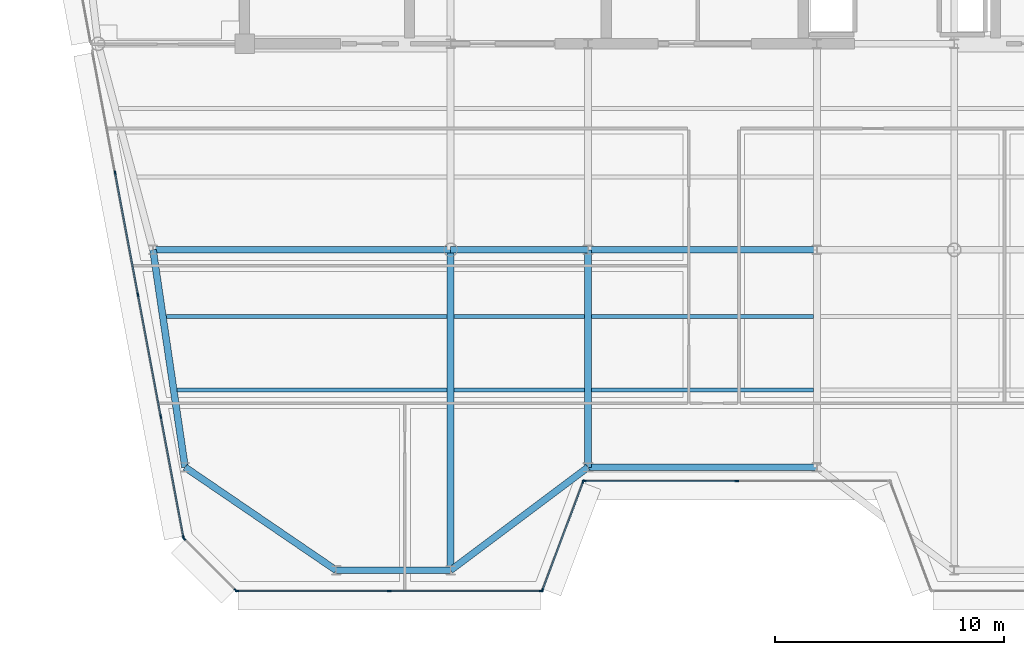
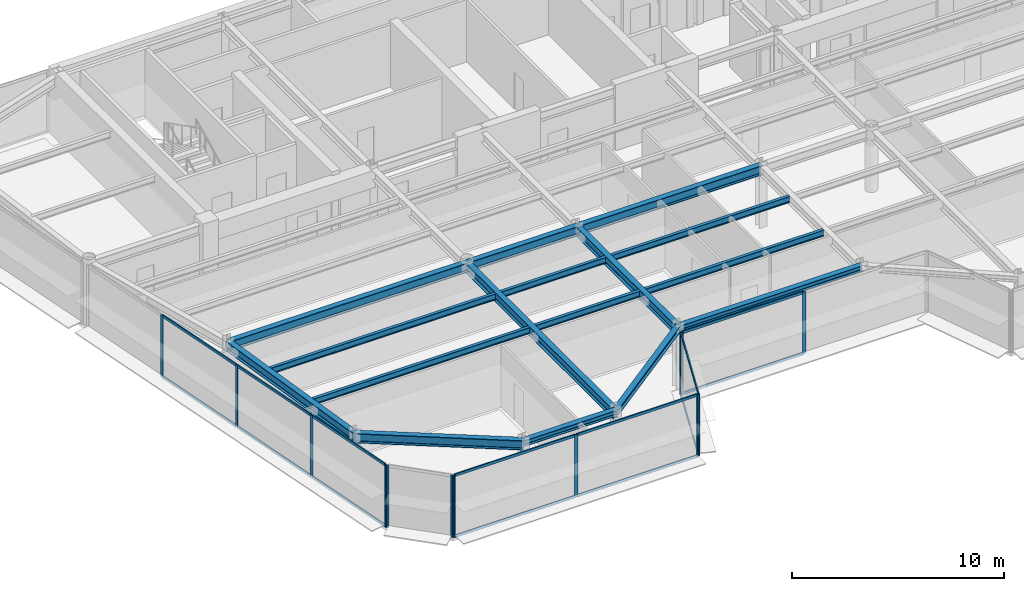
# One storey, part 3 of 19: 27 members, 16 beams, 5 elements without a shape of their own.
"""IFC4 building model written with IfcOpenShell, lengths in metres."""

from ifc_helpers import new_model, si_unit, direction, frame, origin, origin_2d, place, context, subcontext, project, spatial, rectangle, i_section, extrude, source, transform, mapped, material, layer, layer_set, material_profile, profile_set, type_object, element, aggregate, save


model = new_model("IFC4")

# Units and contexts
model_context = context("Model", 3, precision=1e-05, world=origin(), true_north=direction((0.0, 1.0)))
body_context = subcontext(model_context, "Body", "Model", "MODEL_VIEW")
ifc_project = project(units=[si_unit("LENGTHUNIT", "METRE"), si_unit("AREAUNIT", "SQUARE_METRE"), si_unit("VOLUMEUNIT", "CUBIC_METRE"), si_unit("PLANEANGLEUNIT", "RADIAN"), si_unit("MASSUNIT", "GRAM", prefix="KILO")], contexts=[model_context])

# Site, building, storey
site_placement = place(None, origin())
site = spatial("IfcSite", under=ifc_project, at=site_placement, CompositionType="ELEMENT")
building_placement = place(site_placement, origin())
building = spatial("IfcBuilding", under=site, at=building_placement, Name="Vaeldorn Concourse Tower", CompositionType="ELEMENT")
storey_placement = place(building_placement, frame((0.0, 0.0, 272.60009765625)))
storey = spatial("IfcBuildingStorey", under=building, at=storey_placement, Name="L70", CompositionType="ELEMENT", Elevation=272.60009765625)

# Beams
ifc_material_1 = material(Name="Steel S355", Category="steel")
ifc_material_profile_1 = material_profile(ifc_material_1, i_section(OverallWidth=0.300048828125, OverallDepth=0.550048828125, WebThickness=0.014892578125, FlangeThickness=0.029052734375, FilletRadius=0.027099609375, at=origin_2d()), Name="HEB 550")
ifc_profile_set_1 = profile_set([ifc_material_profile_1], Name="Steel S355")
beam_type_1 = type_object("IfcBeamType", Name="BM-PG-HEB550", PredefinedType="BEAM", material=ifc_profile_set_1)
shared_shape_1 = source(origin(), body_context, "Body", "SweptSolid", [
    extrude(i_section(OverallWidth=0.300048828125, OverallDepth=0.550048828125, WebThickness=0.014892578125, FlangeThickness=0.029052734375, FilletRadius=0.027099609375, at=origin_2d()), origin(), (0.0, 0.0, 1.0), 6.0),
])
beam_1_placement = place(storey_placement, frame((23.0, 27.5, 3.304931640625), z_axis=(1.0, 0.0, 0.0), x_axis=(0.0, 1.0, 0.0)))
element("IfcBeam", 1, at=beam_1_placement, inside=storey, type_object=beam_type_1, Name="Beam BM-L70-C-TW1-C-TW2", PredefinedType="BEAM", context=body_context, shape_type="MappedRepresentation", body=[
    mapped(shared_shape_1, transform((0.0, 0.0, 0.0), scale=1.0)),
])
shared_shape_2 = source(origin(), body_context, "Body", "SweptSolid", [
    extrude(i_section(OverallWidth=0.300048828125, OverallDepth=0.550048828125, WebThickness=0.014892578125, FlangeThickness=0.029052734375, FilletRadius=0.027099609375, at=origin_2d()), origin(), (0.0, 0.0, 1.0), 10.0),
])
beam_2_placement = place(storey_placement, frame((29.0, 27.5, 3.304931640625), z_axis=(1.0, 0.0, 0.0), x_axis=(0.0, 1.0, 0.0)))
element("IfcBeam", 2, at=beam_2_placement, inside=storey, type_object=beam_type_1, Name="Beam BM-L70-C-TW2-C-TW3", PredefinedType="BEAM", context=body_context, shape_type="MappedRepresentation", body=[
    mapped(shared_shape_2, transform((0.0, 0.0, 0.0), scale=1.0)),
])
shared_shape_3 = source(origin(), body_context, "Body", "SweptSolid", [
    extrude(i_section(OverallWidth=0.300048828125, OverallDepth=0.550048828125, WebThickness=0.014892578125, FlangeThickness=0.029052734375, FilletRadius=0.027099609375, at=origin_2d()), origin(), (0.0, 0.0, 1.0), 14.0),
])
beam_3_placement = place(storey_placement, frame((23.0, 13.5, 3.304931640625), z_axis=(0.0, 1.0, 0.0), x_axis=(-1.0, 0.0, 0.0)))
element("IfcBeam", 3, at=beam_3_placement, inside=storey, type_object=beam_type_1, Name="Beam BM-L70-C-SF2-C-TW1", PredefinedType="BEAM", context=body_context, shape_type="MappedRepresentation", body=[
    mapped(shared_shape_3, transform((0.0, 0.0, 0.0), scale=1.0)),
])
shared_shape_4 = source(origin(), body_context, "Body", "SweptSolid", [
    extrude(i_section(OverallWidth=0.300048828125, OverallDepth=0.550048828125, WebThickness=0.014892578125, FlangeThickness=0.029052734375, FilletRadius=0.027099609375, at=origin_2d()), origin(), (0.0, 0.0, 1.0), 13.0),
])
beam_4_placement = place(storey_placement, frame((10.0, 27.5, 3.304931640625), z_axis=(1.0, 0.0, 0.0), x_axis=(0.0, 1.0, 0.0)))
element("IfcBeam", 4, at=beam_4_placement, inside=storey, type_object=beam_type_1, Name="Beam BM-L70-C-FLW1-C-TW1", PredefinedType="BEAM", context=body_context, shape_type="MappedRepresentation", body=[
    mapped(shared_shape_4, transform((0.0, 0.0, 0.0), scale=1.0)),
])
shared_shape_5 = source(origin(), body_context, "Body", "SweptSolid", [
    extrude(i_section(OverallWidth=0.300048828125, OverallDepth=0.550048828125, WebThickness=0.014892578125, FlangeThickness=0.029052734375, FilletRadius=0.027099609375, at=origin_2d()), origin(), (0.0, 0.0, 1.0), 9.6025390625),
])
beam_5_placement = place(storey_placement, frame((10.0, 27.5, 3.304931640625), z_axis=(0.145783835977, -0.989316467652, 0.0), x_axis=(0.989316467652, 0.145783835977, 0.0)))
element("IfcBeam", 5, at=beam_5_placement, inside=storey, type_object=beam_type_1, Name="Beam BM-L70-C-FLW1-C-FLW2", PredefinedType="BEAM", context=body_context, shape_type="MappedRepresentation", body=[
    mapped(shared_shape_5, transform((0.0, 0.0, 0.0), scale=1.0)),
])
shared_shape_6 = source(origin(), body_context, "Body", "SweptSolid", [
    extrude(i_section(OverallWidth=0.300048828125, OverallDepth=0.550048828125, WebThickness=0.014892578125, FlangeThickness=0.029052734375, FilletRadius=0.027099609375, at=origin_2d()), origin(), (0.0, 0.0, 1.0), 9.5),
])
beam_6_placement = place(storey_placement, frame((29.0, 18.0, 3.304931640625), z_axis=(0.0, 1.0, 0.0), x_axis=(-1.0, 0.0, 0.0)))
element("IfcBeam", 6, at=beam_6_placement, inside=storey, type_object=beam_type_1, Name="Beam BM-L70-C-SF3-C-TW2", PredefinedType="BEAM", context=body_context, shape_type="MappedRepresentation", body=[
    mapped(shared_shape_6, transform((0.0, 0.0, 0.0), scale=1.0)),
])
shared_shape_7 = source(origin(), body_context, "Body", "SweptSolid", [
    extrude(i_section(OverallWidth=0.300048828125, OverallDepth=0.550048828125, WebThickness=0.014892578125, FlangeThickness=0.029052734375, FilletRadius=0.027099609375, at=origin_2d()), origin(), (0.0, 0.0, 1.0), 7.98828125),
])
beam_7_placement = place(storey_placement, frame((18.0, 13.5, 3.304931640625), z_axis=(-0.826231222393, 0.56333113454, 0.0), x_axis=(-0.56333113454, -0.826231222393, 0.0)))
element("IfcBeam", 7, at=beam_7_placement, inside=storey, type_object=beam_type_1, Name="Beam BM-L70-C-SF1-C-FLW2", PredefinedType="BEAM", context=body_context, shape_type="MappedRepresentation", body=[
    mapped(shared_shape_7, transform((0.0, 0.0, 0.0), scale=1.0)),
])
ifc_material_profile_2 = material_profile(ifc_material_1, i_section(OverallWidth=0.169921875, OverallDepth=0.360107421875, WebThickness=0.008056640625, FlangeThickness=0.0126953125, FilletRadius=0.01806640625, at=origin_2d()), Name="IPE 360")
ifc_profile_set_2 = profile_set([ifc_material_profile_2], Name="Steel S355")
beam_type_2 = type_object("IfcBeamType", Name="BM-JS-IPE360", PredefinedType="JOIST", material=ifc_profile_set_2)
shared_shape_8 = source(origin(), body_context, "Body", "SweptSolid", [
    extrude(i_section(OverallWidth=0.169921875, OverallDepth=0.360107421875, WebThickness=0.008056640625, FlangeThickness=0.0126953125, FilletRadius=0.01806640625, at=origin_2d()), origin(), (0.0, 0.0, 1.0), 5.7001953125),
])
for number, where, z_axis, x_axis, name in (
    (8, (23.14990234375, 21.3798828125, 3.39990234375), (1.0, 0.0, 0.0), (0.0, 1.0, 0.0), "Beam JS-L70-W2-213"),
    (9, (23.14990234375, 24.580078125, 3.39990234375), (1.0, 0.0, 0.0), (0.0, 1.0, 0.0), "Beam JS-L70-W2-245"),
):
    element("IfcBeam", number, at=place(storey_placement, frame(where, z_axis=z_axis, x_axis=x_axis)), inside=storey, type_object=beam_type_2, Name=name, PredefinedType="JOIST", context=body_context, shape_type="MappedRepresentation", body=[
        mapped(shared_shape_8, transform((0.0, 0.0, 0.0), scale=1.0)),
    ])
shared_shape_9 = source(origin(), body_context, "Body", "SweptSolid", [
    extrude(i_section(OverallWidth=0.169921875, OverallDepth=0.360107421875, WebThickness=0.008056640625, FlangeThickness=0.0126953125, FilletRadius=0.01806640625, at=origin_2d()), origin(), (0.0, 0.0, 1.0), 9.7001953125),
])
for number, where, z_axis, x_axis, name in (
    (10, (29.14990234375, 21.3798828125, 3.39990234375), (1.0, 0.0, 0.0), (0.0, 1.0, 0.0), "Beam JS-L70-C-213"),
    (11, (29.14990234375, 24.580078125, 3.39990234375), (1.0, 0.0, 0.0), (0.0, 1.0, 0.0), "Beam JS-L70-C-245"),
):
    element("IfcBeam", number, at=place(storey_placement, frame(where, z_axis=z_axis, x_axis=x_axis)), inside=storey, type_object=beam_type_2, Name=name, PredefinedType="JOIST", context=body_context, shape_type="MappedRepresentation", body=[
        mapped(shared_shape_9, transform((0.0, 0.0, 0.0), scale=1.0)),
    ])
ifc_material_profile_3 = material_profile(ifc_material_1, i_section(OverallWidth=0.300048828125, OverallDepth=0.340087890625, WebThickness=0.011962890625, FlangeThickness=0.021484375, FilletRadius=0.027099609375, at=origin_2d()), Name="HEB 340")
ifc_profile_set_3 = profile_set([ifc_material_profile_3], Name="Steel S355")
beam_type_3 = type_object("IfcBeamType", Name="BM-SP-HEB340", PredefinedType="SPANDREL", material=ifc_profile_set_3)
shared_shape_10 = source(origin(), body_context, "Body", "SweptSolid", [
    extrude(i_section(OverallWidth=0.300048828125, OverallDepth=0.340087890625, WebThickness=0.011962890625, FlangeThickness=0.021484375, FilletRadius=0.027099609375, at=origin_2d()), origin(), (0.0, 0.0, 1.0), 5.0),
])
beam_8_placement = place(storey_placement, frame((18.0, 13.5, 3.409912109375), z_axis=(1.0, 0.0, 0.0), x_axis=(0.0, 1.0, 0.0)))
element("IfcBeam", 12, at=beam_8_placement, inside=storey, type_object=beam_type_3, Name="Beam BM-L70-C-SF1-C-SF2", PredefinedType="SPANDREL", context=body_context, shape_type="MappedRepresentation", body=[
    mapped(shared_shape_10, transform((0.0, 0.0, 0.0), scale=1.0)),
])
shared_shape_11 = source(origin(), body_context, "Body", "SweptSolid", [
    extrude(i_section(OverallWidth=0.300048828125, OverallDepth=0.340087890625, WebThickness=0.011962890625, FlangeThickness=0.021484375, FilletRadius=0.027099609375, at=origin_2d()), origin(), (0.0, 0.0, 1.0), 7.5),
])
beam_9_placement = place(storey_placement, frame((23.0, 13.5, 3.409912109375), z_axis=(0.8, 0.6, 0.0), x_axis=(-0.6, 0.8, 0.0)))
element("IfcBeam", 13, at=beam_9_placement, inside=storey, type_object=beam_type_3, Name="Beam BM-L70-C-SF2-C-SF3", PredefinedType="SPANDREL", context=body_context, shape_type="MappedRepresentation", body=[
    mapped(shared_shape_11, transform((0.0, 0.0, 0.0), scale=1.0)),
])
shared_shape_12 = source(origin(), body_context, "Body", "SweptSolid", [
    extrude(i_section(OverallWidth=0.300048828125, OverallDepth=0.340087890625, WebThickness=0.011962890625, FlangeThickness=0.021484375, FilletRadius=0.027099609375, at=origin_2d()), origin(), (0.0, 0.0, 1.0), 10.0),
])
beam_10_placement = place(storey_placement, frame((29.0, 18.0, 3.409912109375), z_axis=(1.0, 0.0, 0.0), x_axis=(0.0, 1.0, 0.0)))
element("IfcBeam", 14, at=beam_10_placement, inside=storey, type_object=beam_type_3, Name="Beam BM-L70-C-SF3-C-SF4", PredefinedType="SPANDREL", context=body_context, shape_type="MappedRepresentation", body=[
    mapped(shared_shape_12, transform((0.0, 0.0, 0.0), scale=1.0)),
])
shared_shape_13 = source(origin(), body_context, "Body", "SweptSolid", [
    extrude(i_section(OverallWidth=0.169921875, OverallDepth=0.360107421875, WebThickness=0.008056640625, FlangeThickness=0.0126953125, FilletRadius=0.01806640625, at=origin_2d()), origin(), (0.0, 0.0, 1.0), 11.798095703125),
])
beam_11_placement = place(storey_placement, frame((11.052001953125, 21.3798828125, 3.39990234375), z_axis=(1.0, 0.0, 0.0), x_axis=(0.0, 1.0, 0.0)))
element("IfcBeam", 15, at=beam_11_placement, inside=storey, type_object=beam_type_2, Name="Beam JS-L70-W1-213", PredefinedType="JOIST", context=body_context, shape_type="MappedRepresentation", body=[
    mapped(shared_shape_13, transform((0.0, 0.0, 0.0), scale=1.0)),
])
shared_shape_14 = source(origin(), body_context, "Body", "SweptSolid", [
    extrude(i_section(OverallWidth=0.169921875, OverallDepth=0.360107421875, WebThickness=0.008056640625, FlangeThickness=0.0126953125, FilletRadius=0.01806640625, at=origin_2d()), origin(), (0.0, 0.0, 1.0), 12.269775390625),
])
beam_12_placement = place(storey_placement, frame((10.580322265625, 24.580078125, 3.39990234375), z_axis=(1.0, 0.0, 0.0), x_axis=(0.0, 1.0, 0.0)))
element("IfcBeam", 16, at=beam_12_placement, inside=storey, type_object=beam_type_2, Name="Beam JS-L70-W1-245", PredefinedType="JOIST", context=body_context, shape_type="MappedRepresentation", body=[
    mapped(shared_shape_14, transform((0.0, 0.0, 0.0), scale=1.0)),
])

# Curtain wall, members
ifc_material_2 = material(Name="Anodised Bronze Aluminium", Category="aluminium")
ifc_layer = layer(ifc_material_2, 0.179931640625)
ifc_layer_set = layer_set([ifc_layer], Name="Anodised Bronze Aluminium")
curtain_wall_type = type_object("IfcCurtainWallType", Name="CW-SYS-05", PredefinedType="NOTDEFINED", material=ifc_layer_set)
curtain_wall_1_placement = place(storey_placement, origin())
curtain_wall_1 = element("IfcCurtainWall", 17, at=curtain_wall_1_placement, inside=storey, type_object=curtain_wall_type, Name="Unitised Curtain Wall CW-L70-E01-1", PredefinedType="NOTDEFINED")
ifc_material_profile_4 = material_profile(ifc_material_2, rectangle(XDim=0.06494140625, YDim=0.169921875, at=origin_2d()), Name="CWM 65x170")
ifc_profile_set_4 = profile_set([ifc_material_profile_4], Name="Anodised Bronze Aluminium")
member_type_1 = type_object("IfcMemberType", Name="CWM-BRONZE-170", PredefinedType="MULLION", material=ifc_profile_set_4)
shared_shape_15 = source(origin(), body_context, "Body", "SweptSolid", [
    extrude(rectangle(XDim=0.06494140625, YDim=0.169921875, at=origin_2d()), origin(), (0.0, 0.0, 1.0), 3.579833984375),
])
member_1_placement = place(storey_placement, frame((13.66845703125, 12.60009765625, 0.0), z_axis=(0.0, 0.0, 1.0), x_axis=(0.0, 1.0, 0.0)))
member_1 = element("IfcMember", 18, at=member_1_placement, type_object=member_type_1, Name="CW-05 mullion 1", PredefinedType="MULLION", context=body_context, shape_type="MappedRepresentation", body=[
    mapped(shared_shape_15, transform((0.0, 0.0, 0.0), scale=1.0)),
])
member_2_placement = place(storey_placement, frame((20.318115234375, 12.60009765625, 0.0), z_axis=(0.0, 0.0, 1.0), x_axis=(0.0, 1.0, 0.0)))
member_2 = element("IfcMember", 19, at=member_2_placement, type_object=member_type_1, Name="CW-05 mullion 2", PredefinedType="MULLION", context=body_context, shape_type="MappedRepresentation", body=[
    mapped(shared_shape_15, transform((0.0, 0.0, 0.0), scale=1.0)),
])
member_3_placement = place(storey_placement, frame((26.967529296875, 12.60009765625, 0.0), z_axis=(0.0, 0.0, 1.0), x_axis=(0.0, 1.0, 0.0)))
member_3 = element("IfcMember", 20, at=member_3_placement, type_object=member_type_1, Name="CW-05 mullion 3", PredefinedType="MULLION", context=body_context, shape_type="MappedRepresentation", body=[
    mapped(shared_shape_15, transform((0.0, 0.0, 0.0), scale=1.0)),
])

curtain_wall_2_placement = place(storey_placement, origin())
curtain_wall_2 = element("IfcCurtainWall", 21, at=curtain_wall_2_placement, inside=storey, type_object=curtain_wall_type, Name="Unitised Curtain Wall CW-L70-E02-1", PredefinedType="NOTDEFINED")
member_4_placement = place(storey_placement, frame((27.011474609375, 12.63037109375, 0.0), z_axis=(0.0, 0.0, 1.0), x_axis=(-0.936329177566, 0.351123441595, 0.0)))
member_4 = element("IfcMember", 22, at=member_4_placement, type_object=member_type_1, Name="CW-05 mullion 1", PredefinedType="MULLION", context=body_context, shape_type="MappedRepresentation", body=[
    mapped(shared_shape_15, transform((0.0, 0.0, 0.0), scale=1.0)),
])
member_5_placement = place(storey_placement, frame((28.78857421875, 17.36962890625, 0.0), z_axis=(0.0, 0.0, 1.0), x_axis=(-0.936329177566, 0.351123441595, 0.0)))
member_5 = element("IfcMember", 23, at=member_5_placement, type_object=member_type_1, Name="CW-05 mullion 2", PredefinedType="MULLION", context=body_context, shape_type="MappedRepresentation", body=[
    mapped(shared_shape_15, transform((0.0, 0.0, 0.0), scale=1.0)),
])

curtain_wall_3_placement = place(storey_placement, origin())
curtain_wall_3 = element("IfcCurtainWall", 24, at=curtain_wall_3_placement, inside=storey, type_object=curtain_wall_type, Name="Unitised Curtain Wall CW-L70-E03-1", PredefinedType="NOTDEFINED")
member_6_placement = place(storey_placement, frame((28.83251953125, 17.39990234375, 0.0), z_axis=(0.0, 0.0, 1.0), x_axis=(0.0, 1.0, 0.0)))
member_6 = element("IfcMember", 25, at=member_6_placement, type_object=member_type_1, Name="CW-05 mullion 1", PredefinedType="MULLION", context=body_context, shape_type="MappedRepresentation", body=[
    mapped(shared_shape_15, transform((0.0, 0.0, 0.0), scale=1.0)),
])
member_7_placement = place(storey_placement, frame((35.5, 17.39990234375, 0.0), z_axis=(0.0, 0.0, 1.0), x_axis=(0.0, 1.0, 0.0)))
member_7 = element("IfcMember", 26, at=member_7_placement, type_object=member_type_1, Name="CW-05 mullion 2", PredefinedType="MULLION", context=body_context, shape_type="MappedRepresentation", body=[
    mapped(shared_shape_15, transform((0.0, 0.0, 0.0), scale=1.0)),
])

curtain_wall_4_placement = place(storey_placement, origin())
curtain_wall_4 = element("IfcCurtainWall", 27, at=curtain_wall_4_placement, inside=storey, type_object=curtain_wall_type, Name="Unitised Curtain Wall CW-L70-E11-2", PredefinedType="NOTDEFINED")
member_8_placement = place(storey_placement, frame((8.343505859375, 30.86376953125, 0.0), z_axis=(0.0, 0.0, 1.0), x_axis=(0.982880027444, 0.184246714088, 0.0)))
member_8 = element("IfcMember", 28, at=member_8_placement, type_object=member_type_1, Name="CW-05 mullion 2", PredefinedType="MULLION", context=body_context, shape_type="MappedRepresentation", body=[
    mapped(shared_shape_15, transform((0.0, 0.0, 0.0), scale=1.0)),
])
member_9_placement = place(storey_placement, frame((9.341064453125, 25.54248046875, 0.0), z_axis=(0.0, 0.0, 1.0), x_axis=(0.982880027444, 0.184246714088, 0.0)))
member_9 = element("IfcMember", 29, at=member_9_placement, type_object=member_type_1, Name="CW-05 mullion 3", PredefinedType="MULLION", context=body_context, shape_type="MappedRepresentation", body=[
    mapped(shared_shape_15, transform((0.0, 0.0, 0.0), scale=1.0)),
])
member_10_placement = place(storey_placement, frame((10.33837890625, 20.22119140625, 0.0), z_axis=(0.0, 0.0, 1.0), x_axis=(0.982880027444, 0.184246714088, 0.0)))
member_10 = element("IfcMember", 30, at=member_10_placement, type_object=member_type_1, Name="CW-05 mullion 4", PredefinedType="MULLION", context=body_context, shape_type="MappedRepresentation", body=[
    mapped(shared_shape_15, transform((0.0, 0.0, 0.0), scale=1.0)),
])
member_11_placement = place(storey_placement, frame((11.330078125, 14.931884765625, 0.0), z_axis=(0.0, 0.0, 1.0), x_axis=(0.982880027444, 0.184246714088, 0.0)))
member_11 = element("IfcMember", 31, at=member_11_placement, type_object=member_type_1, Name="CW-05 mullion 5", PredefinedType="MULLION", context=body_context, shape_type="MappedRepresentation", body=[
    mapped(shared_shape_15, transform((0.0, 0.0, 0.0), scale=1.0)),
])

curtain_wall_5_placement = place(storey_placement, origin())
curtain_wall_5 = element("IfcCurtainWall", 32, at=curtain_wall_5_placement, inside=storey, type_object=curtain_wall_type, Name="Unitised Curtain Wall CW-L70-E12-1", PredefinedType="NOTDEFINED")
member_12_placement = place(storey_placement, frame((11.35888671875, 14.876953125, 0.0), z_axis=(0.0, 0.0, 1.0), x_axis=(0.707106781187, 0.707106781187, 0.0)))
member_12 = element("IfcMember", 33, at=member_12_placement, type_object=member_type_1, Name="CW-05 mullion 1", PredefinedType="MULLION", context=body_context, shape_type="MappedRepresentation", body=[
    mapped(shared_shape_15, transform((0.0, 0.0, 0.0), scale=1.0)),
])
member_13_placement = place(storey_placement, frame((13.613037109375, 12.623046875, 0.0), z_axis=(0.0, 0.0, 1.0), x_axis=(0.707106781187, 0.707106781187, 0.0)))
member_13 = element("IfcMember", 34, at=member_13_placement, type_object=member_type_1, Name="CW-05 mullion 2", PredefinedType="MULLION", context=body_context, shape_type="MappedRepresentation", body=[
    mapped(shared_shape_15, transform((0.0, 0.0, 0.0), scale=1.0)),
])
aggregate(curtain_wall_5, [member_12, member_13])

# Member
ifc_material_profile_5 = material_profile(ifc_material_2, rectangle(XDim=0.06494140625, YDim=0.14990234375, at=origin_2d()), Name="CWT 65x150")
ifc_profile_set_5 = profile_set([ifc_material_profile_5], Name="Anodised Bronze Aluminium")
member_type_2 = type_object("IfcMemberType", Name="CWT-BRONZE-150", PredefinedType="USERDEFINED", material=ifc_profile_set_5)
shared_shape_16 = source(origin(), body_context, "Body", "SweptSolid", [
    extrude(rectangle(XDim=0.06494140625, YDim=0.14990234375, at=origin_2d()), origin(), (0.0, 0.0, 1.0), 4.996337890625),
])
member_14_placement = place(storey_placement, frame((27.022705078125, 12.660888671875, 0.032470703125), z_axis=(0.351134151405, 0.936325161318, 0.0), x_axis=(-0.936325161318, 0.351134151405, 0.0)))
member_14 = element("IfcMember", 35, at=member_14_placement, type_object=member_type_2, Name="CW-05 transom 1.1", ObjectType="TRANSOM", PredefinedType="USERDEFINED", context=body_context, shape_type="MappedRepresentation", body=[
    mapped(shared_shape_16, transform((0.0, 0.0, 0.0), scale=1.0)),
])

member_15_placement = place(storey_placement, frame((27.022705078125, 12.660888671875, 3.54736328125), z_axis=(0.351134151405, 0.936325161318, 0.0), x_axis=(-0.936325161318, 0.351134151405, 0.0)))
member_15 = element("IfcMember", 36, at=member_15_placement, type_object=member_type_2, Name="CW-05 transom 1.2", ObjectType="TRANSOM", PredefinedType="USERDEFINED", context=body_context, shape_type="MappedRepresentation", body=[
    mapped(shared_shape_16, transform((0.0, 0.0, 0.0), scale=1.0)),
])

aggregate(curtain_wall_2, [member_4, member_5, member_14, member_15])

shared_shape_17 = source(origin(), body_context, "Body", "SweptSolid", [
    extrude(rectangle(XDim=0.06494140625, YDim=0.14990234375, at=origin_2d()), origin(), (0.0, 0.0, 1.0), 6.6025390625),
])
member_16_placement = place(storey_placement, frame((28.864990234375, 17.39990234375, 0.032470703125), z_axis=(1.0, 0.0, 0.0), x_axis=(0.0, 1.0, 0.0)))
member_16 = element("IfcMember", 37, at=member_16_placement, type_object=member_type_2, Name="CW-05 transom 1.1", ObjectType="TRANSOM", PredefinedType="USERDEFINED", context=body_context, shape_type="MappedRepresentation", body=[
    mapped(shared_shape_17, transform((0.0, 0.0, 0.0), scale=1.0)),
])

member_17_placement = place(storey_placement, frame((28.864990234375, 17.39990234375, 3.54736328125), z_axis=(1.0, 0.0, 0.0), x_axis=(0.0, 1.0, 0.0)))
member_17 = element("IfcMember", 38, at=member_17_placement, type_object=member_type_2, Name="CW-05 transom 1.2", ObjectType="TRANSOM", PredefinedType="USERDEFINED", context=body_context, shape_type="MappedRepresentation", body=[
    mapped(shared_shape_17, transform((0.0, 0.0, 0.0), scale=1.0)),
])

aggregate(curtain_wall_3, [member_6, member_7, member_16, member_17])

shared_shape_18 = source(origin(), body_context, "Body", "SweptSolid", [
    extrude(rectangle(XDim=0.06494140625, YDim=0.14990234375, at=origin_2d()), origin(), (0.0, 0.0, 1.0), 5.31640625),
])
member_18_placement = place(storey_placement, frame((10.344482421875, 20.189208984375, 0.032470703125), z_axis=(0.184241399207, -0.982881023735, 0.0), x_axis=(0.982881023735, 0.184241399207, 0.0)))
member_18 = element("IfcMember", 39, at=member_18_placement, type_object=member_type_2, Name="CW-05 transom 4.1", ObjectType="TRANSOM", PredefinedType="USERDEFINED", context=body_context, shape_type="MappedRepresentation", body=[
    mapped(shared_shape_18, transform((0.0, 0.0, 0.0), scale=1.0)),
])

member_19_placement = place(storey_placement, frame((10.344482421875, 20.189208984375, 3.54736328125), z_axis=(0.184241399207, -0.982881023735, 0.0), x_axis=(0.982881023735, 0.184241399207, 0.0)))
member_19 = element("IfcMember", 40, at=member_19_placement, type_object=member_type_2, Name="CW-05 transom 4.2", ObjectType="TRANSOM", PredefinedType="USERDEFINED", context=body_context, shape_type="MappedRepresentation", body=[
    mapped(shared_shape_18, transform((0.0, 0.0, 0.0), scale=1.0)),
])

shared_shape_19 = source(origin(), body_context, "Body", "SweptSolid", [
    extrude(rectangle(XDim=0.06494140625, YDim=0.14990234375, at=origin_2d()), origin(), (0.0, 0.0, 1.0), 5.348876953125),
])
member_20_placement = place(storey_placement, frame((8.349609375, 30.831787109375, 0.032470703125), z_axis=(0.184216882988, -0.982885618993, 0.0), x_axis=(0.982885618993, 0.184216882988, 0.0)))
member_20 = element("IfcMember", 41, at=member_20_placement, type_object=member_type_2, Name="CW-05 transom 2.1", ObjectType="TRANSOM", PredefinedType="USERDEFINED", context=body_context, shape_type="MappedRepresentation", body=[
    mapped(shared_shape_19, transform((0.0, 0.0, 0.0), scale=1.0)),
])

member_21_placement = place(storey_placement, frame((8.349609375, 30.831787109375, 3.54736328125), z_axis=(0.184216882988, -0.982885618993, 0.0), x_axis=(0.982885618993, 0.184216882988, 0.0)))
member_21 = element("IfcMember", 42, at=member_21_placement, type_object=member_type_2, Name="CW-05 transom 2.2", ObjectType="TRANSOM", PredefinedType="USERDEFINED", context=body_context, shape_type="MappedRepresentation", body=[
    mapped(shared_shape_19, transform((0.0, 0.0, 0.0), scale=1.0)),
])

member_22_placement = place(storey_placement, frame((9.346923828125, 25.510498046875, 0.032470703125), z_axis=(0.184260976912, -0.982877353685, 0.0), x_axis=(0.982877353685, 0.184260976912, 0.0)))
member_22 = element("IfcMember", 43, at=member_22_placement, type_object=member_type_2, Name="CW-05 transom 3.1", ObjectType="TRANSOM", PredefinedType="USERDEFINED", context=body_context, shape_type="MappedRepresentation", body=[
    mapped(shared_shape_19, transform((0.0, 0.0, 0.0), scale=1.0)),
])

member_23_placement = place(storey_placement, frame((9.346923828125, 25.510498046875, 3.54736328125), z_axis=(0.184260976912, -0.982877353685, 0.0), x_axis=(0.982877353685, 0.184260976912, 0.0)))
member_23 = element("IfcMember", 44, at=member_23_placement, type_object=member_type_2, Name="CW-05 transom 3.2", ObjectType="TRANSOM", PredefinedType="USERDEFINED", context=body_context, shape_type="MappedRepresentation", body=[
    mapped(shared_shape_19, transform((0.0, 0.0, 0.0), scale=1.0)),
])

aggregate(curtain_wall_4, [member_8, member_9, member_10, member_11, member_20, member_21, member_22, member_23, member_18, member_19])

shared_shape_20 = source(origin(), body_context, "Body", "SweptSolid", [
    extrude(rectangle(XDim=0.06494140625, YDim=0.14990234375, at=origin_2d()), origin(), (0.0, 0.0, 1.0), 6.58447265625),
])
member_24_placement = place(storey_placement, frame((13.700927734375, 12.60009765625, 0.032470703125), z_axis=(1.0, 0.0, 0.0), x_axis=(0.0, 1.0, 0.0)))
member_24 = element("IfcMember", 45, at=member_24_placement, type_object=member_type_2, Name="CW-05 transom 1.1", ObjectType="TRANSOM", PredefinedType="USERDEFINED", context=body_context, shape_type="MappedRepresentation", body=[
    mapped(shared_shape_20, transform((0.0, 0.0, 0.0), scale=1.0)),
])

member_25_placement = place(storey_placement, frame((13.700927734375, 12.60009765625, 3.54736328125), z_axis=(1.0, 0.0, 0.0), x_axis=(0.0, 1.0, 0.0)))
member_25 = element("IfcMember", 46, at=member_25_placement, type_object=member_type_2, Name="CW-05 transom 1.2", ObjectType="TRANSOM", PredefinedType="USERDEFINED", context=body_context, shape_type="MappedRepresentation", body=[
    mapped(shared_shape_20, transform((0.0, 0.0, 0.0), scale=1.0)),
])

member_26_placement = place(storey_placement, frame((20.3505859375, 12.60009765625, 0.032470703125), z_axis=(1.0, 0.0, 0.0), x_axis=(0.0, 1.0, 0.0)))
member_26 = element("IfcMember", 47, at=member_26_placement, type_object=member_type_2, Name="CW-05 transom 2.1", ObjectType="TRANSOM", PredefinedType="USERDEFINED", context=body_context, shape_type="MappedRepresentation", body=[
    mapped(shared_shape_20, transform((0.0, 0.0, 0.0), scale=1.0)),
])

member_27_placement = place(storey_placement, frame((20.3505859375, 12.60009765625, 3.54736328125), z_axis=(1.0, 0.0, 0.0), x_axis=(0.0, 1.0, 0.0)))
member_27 = element("IfcMember", 48, at=member_27_placement, type_object=member_type_2, Name="CW-05 transom 2.2", ObjectType="TRANSOM", PredefinedType="USERDEFINED", context=body_context, shape_type="MappedRepresentation", body=[
    mapped(shared_shape_20, transform((0.0, 0.0, 0.0), scale=1.0)),
])

aggregate(curtain_wall_1, [member_1, member_2, member_3, member_24, member_25, member_26, member_27])

save(model, "model.ifc")
